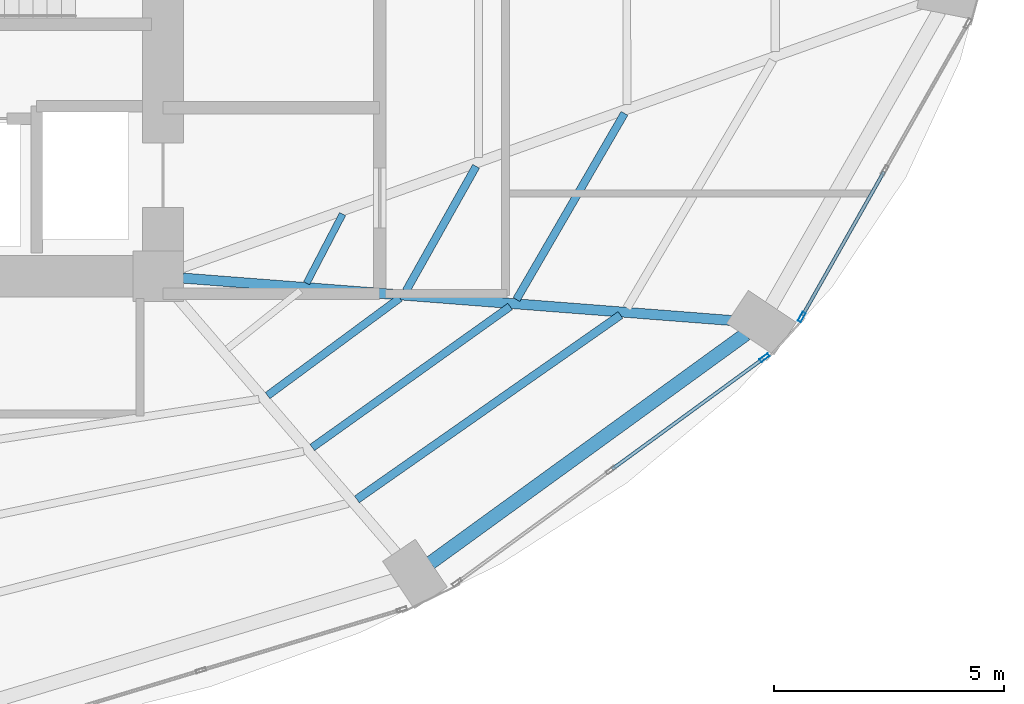
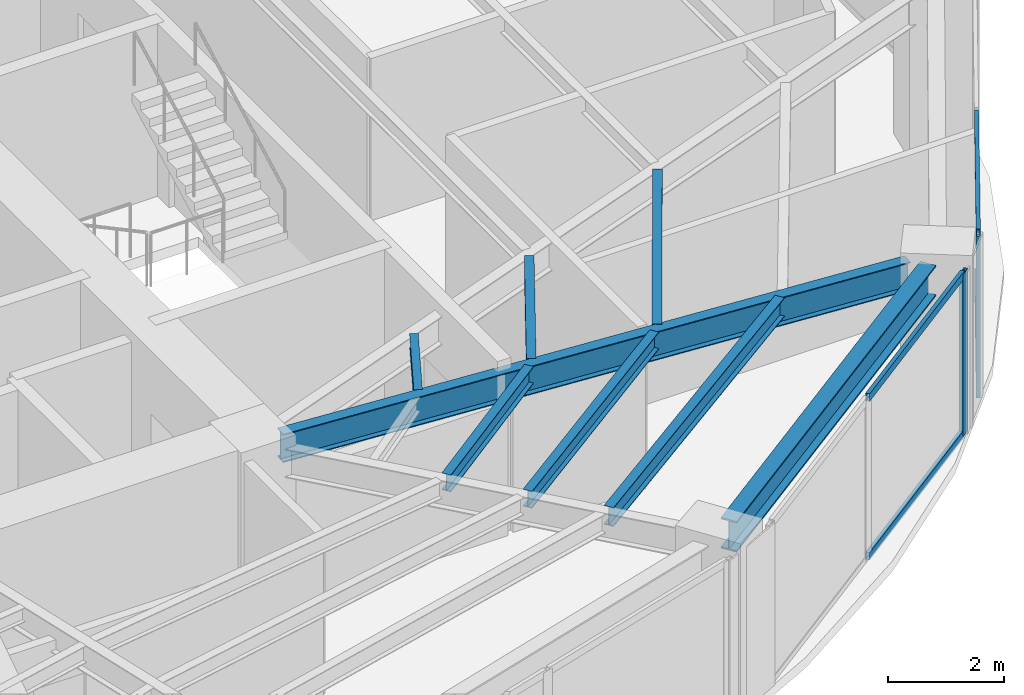
# One storey, part 10 of 24: 8 beams, 6 members, 2 elements without a shape of their own.
"""IFC4 building model written with IfcOpenShell, lengths in metres."""

from ifc_helpers import new_model, si_unit, direction, frame, origin, origin_2d, place, context, subcontext, project, spatial, hollow_rectangle, i_section, extrude, material, layer, layer_set, material_profile, profile_set, type_object, element, aggregate, save


model = new_model("IFC4")

# Units and contexts
model_context = context("Model", 3, precision=1e-05, world=origin(), true_north=direction((0.0, 1.0)))
body_context = subcontext(model_context, "Body", "Model", "MODEL_VIEW")
ifc_project = project(units=[si_unit("LENGTHUNIT", "METRE"), si_unit("AREAUNIT", "SQUARE_METRE"), si_unit("VOLUMEUNIT", "CUBIC_METRE"), si_unit("PLANEANGLEUNIT", "RADIAN"), si_unit("MASSUNIT", "GRAM", prefix="KILO")], contexts=[model_context])

# Site, building, storey
site_placement = place(None, origin())
site = spatial("IfcSite", under=ifc_project, at=site_placement, CompositionType="ELEMENT")
building_placement = place(site_placement, origin())
building = spatial("IfcBuilding", under=site, at=building_placement, Name="Lazwardi Medical Tower", CompositionType="ELEMENT")
storey_placement = place(building_placement, frame((0.0, 0.0, 36.14404296875)))
storey = spatial("IfcBuildingStorey", under=building, at=storey_placement, Name="L08", CompositionType="ELEMENT", Elevation=36.14404296875)

# Beams
ifc_material_1 = material(Name="Steel S355", Category="steel")
ifc_material_profile_1 = material_profile(ifc_material_1, i_section(OverallWidth=0.300048828125, OverallDepth=0.64990234375, WebThickness=0.01611328125, FlangeThickness=0.031005859375, at=origin_2d()), Name="HEB 650")
ifc_profile_set_1 = profile_set([ifc_material_profile_1], Name="Steel S355")
beam_type_1 = type_object("IfcBeamType", Name="BM-RB-Z1", PredefinedType="BEAM", material=ifc_profile_set_1)
beam_1_placement = place(storey_placement, frame((51.52099609375, 14.16259765625, 3.10302734375), z_axis=(0.80939338516, 0.5872668457, 0.0), x_axis=(-0.5872668457, 0.80939338516, 0.0)))
element("IfcBeam", 1, at=beam_1_placement, inside=storey, type_object=beam_type_1, Name="Ring beam RB-02 B02 L08", PredefinedType="BEAM", context=body_context, shape_type="SweptSolid", body=[
    extrude(i_section(OverallWidth=0.300048828125, OverallDepth=0.64990234375, WebThickness=0.01611328125, FlangeThickness=0.031005859375, at=origin_2d()), origin(), (0.0, 0.0, 1.0), 8.47412109375),
])
ifc_material_profile_2 = material_profile(ifc_material_1, i_section(OverallWidth=0.219970703125, OverallDepth=0.60009765625, WebThickness=0.011962890625, FlangeThickness=0.01904296875, at=origin_2d()), Name="IPE 600")
ifc_profile_set_2 = profile_set([ifc_material_profile_2], Name="Steel S355")
beam_type_2 = type_object("IfcBeamType", Name="BM-RG-W1", PredefinedType="BEAM", material=ifc_profile_set_2)
beam_2_placement = place(storey_placement, frame((58.1416015625, 19.430419921875, 3.1279296875), z_axis=(-0.997024241118, 0.077088667283, 0.0), x_axis=(-0.077088667283, -0.997024241118, 0.0)))
element("IfcBeam", 2, at=beam_2_placement, inside=storey, type_object=beam_type_2, Name="Radial girder RG-02 R03 L08", PredefinedType="BEAM", context=body_context, shape_type="SweptSolid", body=[
    extrude(i_section(OverallWidth=0.219970703125, OverallDepth=0.60009765625, WebThickness=0.011962890625, FlangeThickness=0.01904296875, at=origin_2d()), origin(), (0.0, 0.0, 1.0), 12.044189453125),
])
ifc_material_profile_3 = material_profile(ifc_material_1, i_section(OverallWidth=0.179931640625, OverallDepth=0.39990234375, WebThickness=0.008544921875, FlangeThickness=0.013427734375, at=origin_2d()), Name="IPE 400")
ifc_profile_set_3 = profile_set([ifc_material_profile_3], Name="Steel S355")
beam_type_3 = type_object("IfcBeamType", Name="BM-SJ-01", PredefinedType="JOIST", material=ifc_profile_set_3)
beam_3_placement = place(storey_placement, frame((49.91796875, 15.543701171875, 3.22802734375), z_axis=(0.81942522483, 0.573186096231, 0.0), x_axis=(-0.573186096231, 0.81942522483, 0.0)))
element("IfcBeam", 3, at=beam_3_placement, inside=storey, type_object=beam_type_3, Name="Secondary joist SJ-01 R1 B02 L08", PredefinedType="JOIST", context=body_context, shape_type="SweptSolid", body=[
    extrude(i_section(OverallWidth=0.179931640625, OverallDepth=0.39990234375, WebThickness=0.008544921875, FlangeThickness=0.013427734375, at=origin_2d()), origin(), (0.0, 0.0, 1.0), 6.999755859375),
])
ifc_material_profile_4 = material_profile(ifc_material_1, i_section(OverallWidth=0.169921875, OverallDepth=0.360107421875, WebThickness=0.008056640625, FlangeThickness=0.0126953125, at=origin_2d()), Name="IPE 360")
ifc_profile_set_4 = profile_set([ifc_material_profile_4], Name="Steel S355")
beam_type_4 = type_object("IfcBeamType", Name="BM-SJ-02", PredefinedType="JOIST", material=ifc_profile_set_4)
beam_4_placement = place(storey_placement, frame((48.94677734375, 16.672119140625, 3.248046875), z_axis=(0.814341377136, 0.580386183058, 0.0), x_axis=(-0.580386183058, 0.814341377136, 0.0)))
element("IfcBeam", 4, at=beam_4_placement, inside=storey, type_object=beam_type_4, Name="Secondary joist SJ-02 R2 B02 L08", PredefinedType="JOIST", context=body_context, shape_type="SweptSolid", body=[
    extrude(i_section(OverallWidth=0.169921875, OverallDepth=0.360107421875, WebThickness=0.008056640625, FlangeThickness=0.0126953125, at=origin_2d()), origin(), (0.0, 0.0, 1.0), 5.28759765625),
])
beam_5_placement = place(storey_placement, frame((53.39111328125, 19.892578125, 3.248046875), z_axis=(0.501798442848, 0.86498457949, 0.0), x_axis=(-0.86498457949, 0.501798442848, 0.0)))
element("IfcBeam", 5, at=beam_5_placement, inside=storey, type_object=beam_type_4, Name="Secondary joist SJ-02 R2 B03 L08", PredefinedType="JOIST", context=body_context, shape_type="SweptSolid", body=[
    extrude(i_section(OverallWidth=0.169921875, OverallDepth=0.360107421875, WebThickness=0.008056640625, FlangeThickness=0.0126953125, at=origin_2d()), origin(), (0.0, 0.0, 1.0), 4.683349609375),
])
beam_6_placement = place(storey_placement, frame((47.974853515625, 17.80126953125, 3.248046875), z_axis=(0.804580292353, 0.593843879448, 0.0), x_axis=(-0.593843879448, 0.804580292353, 0.0)))
element("IfcBeam", 6, at=beam_6_placement, inside=storey, type_object=beam_type_4, Name="Secondary joist SJ-02 R3 B02 L08", PredefinedType="JOIST", context=body_context, shape_type="SweptSolid", body=[
    extrude(i_section(OverallWidth=0.169921875, OverallDepth=0.360107421875, WebThickness=0.008056640625, FlangeThickness=0.0126953125, at=origin_2d()), origin(), (0.0, 0.0, 1.0), 3.576416015625),
])
beam_7_placement = place(storey_placement, frame((50.988037109375, 20.0791015625, 3.248046875), z_axis=(0.489974339037, 0.87173685656, 0.0), x_axis=(-0.87173685656, 0.489974339037, 0.0)))
element("IfcBeam", 7, at=beam_7_placement, inside=storey, type_object=beam_type_4, Name="Secondary joist SJ-02 R3 B03 L08", PredefinedType="JOIST", context=body_context, shape_type="SweptSolid", body=[
    extrude(i_section(OverallWidth=0.169921875, OverallDepth=0.360107421875, WebThickness=0.008056640625, FlangeThickness=0.0126953125, at=origin_2d()), origin(), (0.0, 0.0, 1.0), 3.111328125),
])
ifc_material_profile_5 = material_profile(ifc_material_1, i_section(OverallWidth=0.14990234375, OverallDepth=0.300048828125, WebThickness=0.007080078125, FlangeThickness=0.0107421875, at=origin_2d()), Name="IPE 300")
ifc_profile_set_5 = profile_set([ifc_material_profile_5], Name="Steel S355")
beam_type_5 = type_object("IfcBeamType", Name="BM-SJ-03", PredefinedType="JOIST", material=ifc_profile_set_5)
beam_8_placement = place(storey_placement, frame((48.82373046875, 20.247802734375, 3.278076171875), z_axis=(0.462162985948, 0.88679500135, 0.0), x_axis=(-0.88679500135, 0.462162985948, 0.0)))
element("IfcBeam", 8, at=beam_8_placement, inside=storey, type_object=beam_type_5, Name="Secondary joist SJ-03 R4 B03 L08", PredefinedType="JOIST", context=body_context, shape_type="SweptSolid", body=[
    extrude(i_section(OverallWidth=0.14990234375, OverallDepth=0.300048828125, WebThickness=0.007080078125, FlangeThickness=0.0107421875, at=origin_2d()), origin(), (0.0, 0.0, 1.0), 1.69775390625),
])

# Curtain wall, member
ifc_material_2 = material(Name="Anodised bronze aluminium and solar control glazing", Category="aluminium")
ifc_layer = layer(ifc_material_2, 0.199951171875)
ifc_layer_set = layer_set([ifc_layer], Name="Anodised bronze aluminium and solar control glazing")
curtain_wall_type = type_object("IfcCurtainWallType", Name="CW-SYS-02", PredefinedType="NOTDEFINED", material=ifc_layer_set)
curtain_wall_1_placement = place(storey_placement, origin())
curtain_wall_1 = element("IfcCurtainWall", 9, at=curtain_wall_1_placement, inside=storey, type_object=curtain_wall_type, Name="L08 Unitised bronze curtain wall CW-02", PredefinedType="NOTDEFINED")
ifc_material_3 = material(Name="Anodised bronze aluminium", Category="aluminium")
ifc_material_profile_6 = material_profile(ifc_material_3, hollow_rectangle(XDim=0.074951171875, YDim=0.219970703125, WallThickness=0.00390625, at=origin_2d()), Name="ALU-MULLION 220x75x4")
ifc_profile_set_6 = profile_set([ifc_material_profile_6], Name="Anodised bronze aluminium")
member_type_1 = type_object("IfcMemberType", Name="CW-MUL-01", PredefinedType="MULLION", material=ifc_profile_set_6)
member_1_placement = place(storey_placement, frame((58.790283203125, 18.62744140625, 0.0), z_axis=(0.0, 0.0, 1.0), x_axis=(-0.590289307341, 0.807191757663, 0.0)))
member_1 = element("IfcMember", 10, at=member_1_placement, type_object=member_type_1, Name="CW-02 mullion 3", PredefinedType="MULLION", context=body_context, shape_type="SweptSolid", body=[
    extrude(hollow_rectangle(XDim=0.074951171875, YDim=0.219970703125, WallThickness=0.00390625, at=origin_2d()), origin(), (0.0, 0.0, 1.0), 3.427978515625),
])

curtain_wall_2_placement = place(storey_placement, origin())
curtain_wall_2 = element("IfcCurtainWall", 11, at=curtain_wall_2_placement, inside=storey, type_object=curtain_wall_type, Name="L08 Unitised bronze curtain wall CW-02", PredefinedType="NOTDEFINED")
member_2_placement = place(storey_placement, frame((59.5966796875, 19.511474609375, 0.0), z_axis=(0.0, 0.0, 1.0), x_axis=(-0.870111838823, 0.492854327303, 0.0)))
member_2 = element("IfcMember", 12, at=member_2_placement, type_object=member_type_1, Name="CW-02 mullion 1", PredefinedType="MULLION", context=body_context, shape_type="SweptSolid", body=[
    extrude(hollow_rectangle(XDim=0.074951171875, YDim=0.219970703125, WallThickness=0.00390625, at=origin_2d()), origin(), (0.0, 0.0, 1.0), 3.427978515625),
])

# Member
ifc_material_profile_7 = material_profile(ifc_material_3, hollow_rectangle(XDim=0.074951171875, YDim=0.159912109375, WallThickness=0.00390625, at=origin_2d()), Name="ALU-TRANSOM 160x75x4")
ifc_profile_set_7 = profile_set([ifc_material_profile_7], Name="Anodised bronze aluminium")
member_type_2 = type_object("IfcMemberType", Name="CW-TRN-01", PredefinedType="USERDEFINED", material=ifc_profile_set_7)
member_3_placement = place(storey_placement, frame((55.474609375, 16.202880859375, 0.037353515625), z_axis=(0.807218536774, 0.590252686472, 0.0), x_axis=(-0.590252686472, 0.807218536774, 0.0)))
member_3 = element("IfcMember", 13, at=member_3_placement, type_object=member_type_2, Name="CW-02 transom 2.1", ObjectType="TRANSOM", PredefinedType="USERDEFINED", context=body_context, shape_type="SweptSolid", body=[
    extrude(hollow_rectangle(XDim=0.074951171875, YDim=0.159912109375, WallThickness=0.00390625, at=origin_2d()), origin(), (0.0, 0.0, 1.0), 4.070068359375),
])

member_4_placement = place(storey_placement, frame((55.474609375, 16.202880859375, 3.390380859375), z_axis=(0.807218536774, 0.590252686472, 0.0), x_axis=(-0.590252686472, 0.807218536774, 0.0)))
member_4 = element("IfcMember", 14, at=member_4_placement, type_object=member_type_2, Name="CW-02 transom 2.2", ObjectType="TRANSOM", PredefinedType="USERDEFINED", context=body_context, shape_type="SweptSolid", body=[
    extrude(hollow_rectangle(XDim=0.074951171875, YDim=0.159912109375, WallThickness=0.00390625, at=origin_2d()), origin(), (0.0, 0.0, 1.0), 4.070068359375),
])

aggregate(curtain_wall_1, [member_1, member_3, member_4])

member_5_placement = place(storey_placement, frame((59.615234375, 19.5439453125, 0.037353515625), z_axis=(0.49285148925, 0.870113446365, 0.0), x_axis=(-0.870113446365, 0.49285148925, 0.0)))
member_5 = element("IfcMember", 15, at=member_5_placement, type_object=member_type_2, Name="CW-02 transom 1.1", ObjectType="TRANSOM", PredefinedType="USERDEFINED", context=body_context, shape_type="SweptSolid", body=[
    extrude(hollow_rectangle(XDim=0.074951171875, YDim=0.159912109375, WallThickness=0.00390625, at=origin_2d()), origin(), (0.0, 0.0, 1.0), 3.594970703125),
])

member_6_placement = place(storey_placement, frame((59.615234375, 19.5439453125, 3.390380859375), z_axis=(0.49285148925, 0.870113446365, 0.0), x_axis=(-0.870113446365, 0.49285148925, 0.0)))
member_6 = element("IfcMember", 16, at=member_6_placement, type_object=member_type_2, Name="CW-02 transom 1.2", ObjectType="TRANSOM", PredefinedType="USERDEFINED", context=body_context, shape_type="SweptSolid", body=[
    extrude(hollow_rectangle(XDim=0.074951171875, YDim=0.159912109375, WallThickness=0.00390625, at=origin_2d()), origin(), (0.0, 0.0, 1.0), 3.594970703125),
])

aggregate(curtain_wall_2, [member_2, member_5, member_6])

save(model, "model.ifc")
